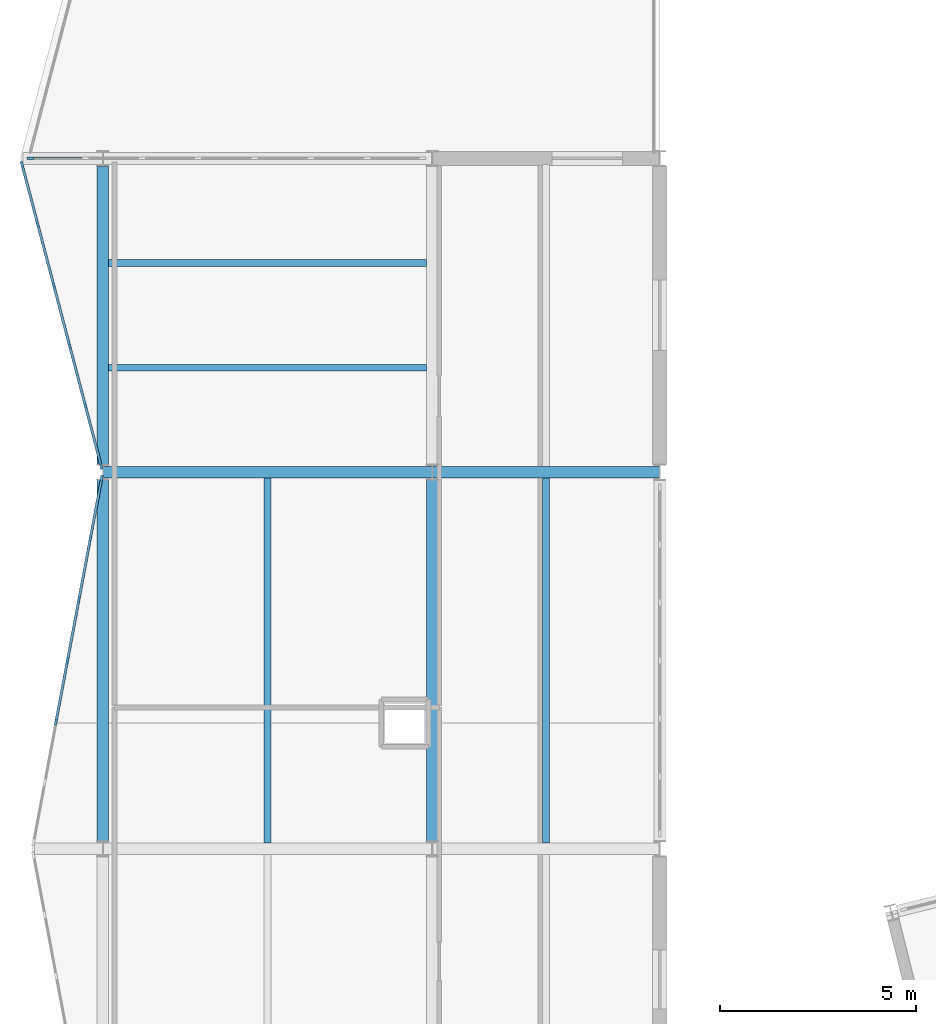
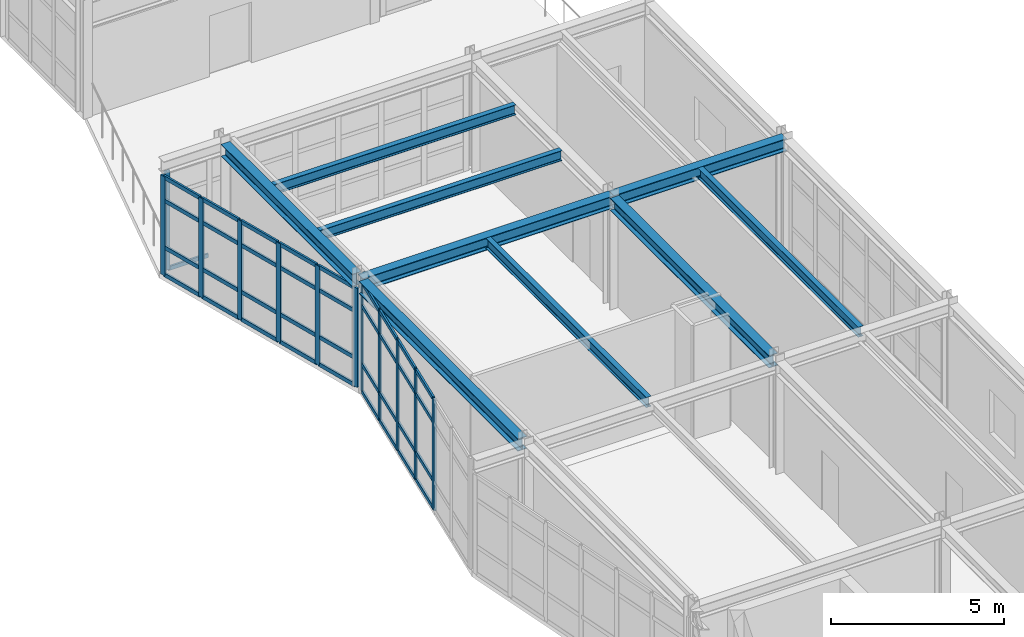
# One storey, part 12 of 47: 49 members, 9 beams, 3 elements without a shape of their own.
"""IFC4 building model written with IfcOpenShell, lengths in metres."""

from ifc_helpers import new_model, si_unit, direction, frame, origin, origin_2d, place, context, subcontext, project, spatial, rectangle, i_section, extrude, material, layer, layer_set, material_profile, profile_set, type_object, element, aggregate, save


model = new_model("IFC4")

# Units and contexts
model_context = context("Model", 3, precision=1e-05, world=origin(), true_north=direction((0.0, 1.0)))
body_context = subcontext(model_context, "Body", "Model", "MODEL_VIEW")
ifc_project = project(units=[si_unit("LENGTHUNIT", "METRE"), si_unit("AREAUNIT", "SQUARE_METRE"), si_unit("VOLUMEUNIT", "CUBIC_METRE"), si_unit("PLANEANGLEUNIT", "RADIAN"), si_unit("MASSUNIT", "GRAM", prefix="KILO")], contexts=[model_context])

# Site, building, storey
site_placement = place(None, origin())
site = spatial("IfcSite", under=ifc_project, at=site_placement, CompositionType="ELEMENT")
building_placement = place(site_placement, origin())
building = spatial("IfcBuilding", under=site, at=building_placement, Name="Nordkorset Police Headquarters", CompositionType="ELEMENT")
storey_placement = place(building_placement, frame((0.0, 0.0, 22.050048828125)))
storey = spatial("IfcBuildingStorey", under=building, at=storey_placement, Name="L05", CompositionType="ELEMENT", Elevation=22.050048828125)

# Beams
ifc_material_1 = material(Name="Steel S355J2", Category="steel")
ifc_material_profile_1 = material_profile(ifc_material_1, i_section(OverallWidth=0.169921875, OverallDepth=0.360107421875, WebThickness=0.008056640625, FlangeThickness=0.0126953125, FilletRadius=0.01806640625, at=origin_2d()), Name="IPE 360")
ifc_profile_set_1 = profile_set([ifc_material_profile_1], Name="Steel S355J2")
beam_type_1 = type_object("IfcBeamType", Name="Beam_IPE_360", PredefinedType="BEAM", material=ifc_profile_set_1)
beam_1_placement = place(storey_placement, frame((4.199951171875, 57.75, 3.784912109375), z_axis=(0.0, 1.0, 0.0), x_axis=(-1.0, 0.0, 0.0)))
element("IfcBeam", 1, at=beam_1_placement, inside=storey, type_object=beam_type_1, Name="Composite Floor Beam V3 L05 0-3-1", PredefinedType="BEAM", context=body_context, shape_type="SweptSolid", body=[
    extrude(i_section(OverallWidth=0.169921875, OverallDepth=0.360107421875, WebThickness=0.008056640625, FlangeThickness=0.0126953125, FilletRadius=0.01806640625, at=origin_2d()), origin(), (0.0, 0.0, 1.0), 9.300048828125),
])
for number, where, z_axis, x_axis, name in (
    (2, (0.14990234375, 69.86669921875, 3.784912109375), (1.0, 0.0, 0.0), (0.0, 1.0, 0.0), "Composite Floor Beam V3 L05 0-4-1"),
    (3, (0.14990234375, 72.533447265625, 3.784912109375), (1.0, 0.0, 0.0), (0.0, 1.0, 0.0), "Composite Floor Beam V3 L05 0-4-2"),
):
    element("IfcBeam", number, at=place(storey_placement, frame(where, z_axis=z_axis, x_axis=x_axis)), inside=storey, type_object=beam_type_1, Name=name, PredefinedType="BEAM", context=body_context, shape_type="SweptSolid", body=[
        extrude(i_section(OverallWidth=0.169921875, OverallDepth=0.360107421875, WebThickness=0.008056640625, FlangeThickness=0.0126953125, FilletRadius=0.01806640625, at=origin_2d()), origin(), (0.0, 0.0, 1.0), 8.10009765625),
    ])
beam_2_placement = place(storey_placement, frame((11.300048828125, 57.75, 3.784912109375), z_axis=(0.0, 1.0, 0.0), x_axis=(-1.0, 0.0, 0.0)))
element("IfcBeam", 4, at=beam_2_placement, inside=storey, type_object=beam_type_1, Name="Composite Floor Beam V3 L05 1-3-1", PredefinedType="BEAM", context=body_context, shape_type="SweptSolid", body=[
    extrude(i_section(OverallWidth=0.169921875, OverallDepth=0.360107421875, WebThickness=0.008056640625, FlangeThickness=0.0126953125, FilletRadius=0.01806640625, at=origin_2d()), origin(), (0.0, 0.0, 1.0), 9.300048828125),
])

# Curtain wall, members
ifc_material_2 = material(Name="Aluminium alloy AW-6060", Category="aluminium")
ifc_layer_1 = layer(ifc_material_2, 0.179931640625, Name="Aluminium alloy AW-6060")
ifc_layer_set_1 = layer_set([ifc_layer_1], Name="Aluminium alloy AW-6060")
curtain_wall_type_1 = type_object("IfcCurtainWallType", Name="CW_Unit_949x392", PredefinedType="USERDEFINED", material=ifc_layer_set_1)
curtain_wall_1_placement = place(storey_placement, origin())
curtain_wall_1 = element("IfcCurtainWall", 5, at=curtain_wall_1_placement, inside=storey, type_object=curtain_wall_type_1, Name="Unitised Curtain Wall L05 V3W-3", ObjectType="UNITISED CURTAIN WALL", PredefinedType="USERDEFINED")
ifc_material_3 = material(Name="Aluminium alloy AW-6060", Category="aluminium")
ifc_material_profile_2 = material_profile(ifc_material_3, rectangle(XDim=0.06494140625, YDim=0.179931640625, at=origin_2d()), Name="ALU MULL 65x180")
ifc_profile_set_2 = profile_set([ifc_material_profile_2], Name="Aluminium alloy AW-6060")
member_type_1 = type_object("IfcMemberType", Name="CW_Mullion_65x180", PredefinedType="MULLION", material=ifc_profile_set_2)
member_1_placement = place(storey_placement, frame((-1.19140625, 60.845947265625, 0.0), z_axis=(0.0, 0.0, 1.0), x_axis=(-0.982872186935, 0.184288535048, 0.0)))
member_1 = element("IfcMember", 6, at=member_1_placement, type_object=member_type_1, Name="CW-49 mullion 3", PredefinedType="MULLION", context=body_context, shape_type="SweptSolid", body=[
    extrude(rectangle(XDim=0.06494140625, YDim=0.179931640625, at=origin_2d()), origin(), (0.0, 0.0, 1.0), 3.919921875),
])
member_2_placement = place(storey_placement, frame((-0.89990234375, 62.39990234375, 0.0), z_axis=(0.0, 0.0, 1.0), x_axis=(-0.982872186935, 0.184288535048, 0.0)))
member_2 = element("IfcMember", 7, at=member_2_placement, type_object=member_type_1, Name="CW-49 mullion 4", PredefinedType="MULLION", context=body_context, shape_type="SweptSolid", body=[
    extrude(rectangle(XDim=0.06494140625, YDim=0.179931640625, at=origin_2d()), origin(), (0.0, 0.0, 1.0), 3.919921875),
])
member_3_placement = place(storey_placement, frame((-0.608642578125, 63.9541015625, 0.0), z_axis=(0.0, 0.0, 1.0), x_axis=(-0.982872186935, 0.184288535048, 0.0)))
member_3 = element("IfcMember", 8, at=member_3_placement, type_object=member_type_1, Name="CW-49 mullion 5", PredefinedType="MULLION", context=body_context, shape_type="SweptSolid", body=[
    extrude(rectangle(XDim=0.06494140625, YDim=0.179931640625, at=origin_2d()), origin(), (0.0, 0.0, 1.0), 3.919921875),
])
member_4_placement = place(storey_placement, frame((-0.317138671875, 65.50830078125, 0.0), z_axis=(0.0, 0.0, 1.0), x_axis=(-0.982872186935, 0.184288535048, 0.0)))
member_4 = element("IfcMember", 9, at=member_4_placement, type_object=member_type_1, Name="CW-49 mullion 6", PredefinedType="MULLION", context=body_context, shape_type="SweptSolid", body=[
    extrude(rectangle(XDim=0.06494140625, YDim=0.179931640625, at=origin_2d()), origin(), (0.0, 0.0, 1.0), 3.919921875),
])
member_5_placement = place(storey_placement, frame((-0.03173828125, 67.030517578125, 0.0), z_axis=(0.0, 0.0, 1.0), x_axis=(-0.982872186935, 0.184288535048, 0.0)))
member_5 = element("IfcMember", 10, at=member_5_placement, type_object=member_type_1, Name="CW-49 mullion 7", PredefinedType="MULLION", context=body_context, shape_type="SweptSolid", body=[
    extrude(rectangle(XDim=0.06494140625, YDim=0.179931640625, at=origin_2d()), origin(), (0.0, 0.0, 1.0), 3.919921875),
])

ifc_material_4 = material(Name="Aluminium alloy AW-6060", Category="aluminium")
ifc_layer_2 = layer(ifc_material_4, 0.179931640625, Name="Aluminium alloy AW-6060")
ifc_layer_set_2 = layer_set([ifc_layer_2], Name="Aluminium alloy AW-6060")
curtain_wall_type_2 = type_object("IfcCurtainWallType", Name="CW_Unit_799x350", PredefinedType="USERDEFINED", material=ifc_layer_set_2)
curtain_wall_2_placement = place(storey_placement, origin())
curtain_wall_2 = element("IfcCurtainWall", 11, at=curtain_wall_2_placement, inside=storey, type_object=curtain_wall_type_2, Name="Unitised Curtain Wall L05 V3W-4", ObjectType="UNITISED CURTAIN WALL", PredefinedType="USERDEFINED")
member_6_placement = place(storey_placement, frame((-0.043701171875, 67.366943359375, 0.0), z_axis=(0.0, 0.0, 1.0), x_axis=(-0.967231265013, -0.25389698695, 0.0)))
member_6 = element("IfcMember", 12, at=member_6_placement, type_object=member_type_1, Name="CW-107 mullion 1", PredefinedType="MULLION", context=body_context, shape_type="SweptSolid", body=[
    extrude(rectangle(XDim=0.06494140625, YDim=0.179931640625, at=origin_2d()), origin(), (0.0, 0.0, 1.0), 3.5048828125),
])
member_7_placement = place(storey_placement, frame((-0.44140625, 68.88134765625, 0.0), z_axis=(0.0, 0.0, 1.0), x_axis=(-0.967231265013, -0.25389698695, 0.0)))
member_7 = element("IfcMember", 13, at=member_7_placement, type_object=member_type_1, Name="CW-107 mullion 2", PredefinedType="MULLION", context=body_context, shape_type="SweptSolid", body=[
    extrude(rectangle(XDim=0.06494140625, YDim=0.179931640625, at=origin_2d()), origin(), (0.0, 0.0, 1.0), 3.5048828125),
])
member_8_placement = place(storey_placement, frame((-0.84716796875, 70.427001953125, 0.0), z_axis=(0.0, 0.0, 1.0), x_axis=(-0.967231265013, -0.25389698695, 0.0)))
member_8 = element("IfcMember", 14, at=member_8_placement, type_object=member_type_1, Name="CW-107 mullion 3", PredefinedType="MULLION", context=body_context, shape_type="SweptSolid", body=[
    extrude(rectangle(XDim=0.06494140625, YDim=0.179931640625, at=origin_2d()), origin(), (0.0, 0.0, 1.0), 3.5048828125),
])
member_9_placement = place(storey_placement, frame((-1.2529296875, 71.972900390625, 0.0), z_axis=(0.0, 0.0, 1.0), x_axis=(-0.967231265013, -0.25389698695, 0.0)))
member_9 = element("IfcMember", 15, at=member_9_placement, type_object=member_type_1, Name="CW-107 mullion 4", PredefinedType="MULLION", context=body_context, shape_type="SweptSolid", body=[
    extrude(rectangle(XDim=0.06494140625, YDim=0.179931640625, at=origin_2d()), origin(), (0.0, 0.0, 1.0), 3.5048828125),
])
member_10_placement = place(storey_placement, frame((-1.65869140625, 73.518798828125, 0.0), z_axis=(0.0, 0.0, 1.0), x_axis=(-0.967231265013, -0.25389698695, 0.0)))
member_10 = element("IfcMember", 16, at=member_10_placement, type_object=member_type_1, Name="CW-107 mullion 5", PredefinedType="MULLION", context=body_context, shape_type="SweptSolid", body=[
    extrude(rectangle(XDim=0.06494140625, YDim=0.179931640625, at=origin_2d()), origin(), (0.0, 0.0, 1.0), 3.5048828125),
])
member_11_placement = place(storey_placement, frame((-2.05615234375, 75.033203125, 0.0), z_axis=(0.0, 0.0, 1.0), x_axis=(-0.967231265013, -0.25389698695, 0.0)))
member_11 = element("IfcMember", 17, at=member_11_placement, type_object=member_type_1, Name="CW-107 mullion 6", PredefinedType="MULLION", context=body_context, shape_type="SweptSolid", body=[
    extrude(rectangle(XDim=0.06494140625, YDim=0.179931640625, at=origin_2d()), origin(), (0.0, 0.0, 1.0), 3.5048828125),
])

# Curtain wall, member
ifc_material_5 = material(Name="Aluminium alloy AW-6060", Category="aluminium")
ifc_layer_3 = layer(ifc_material_5, 0.179931640625, Name="Aluminium alloy AW-6060")
ifc_layer_set_3 = layer_set([ifc_layer_3], Name="Aluminium alloy AW-6060")
curtain_wall_type_3 = type_object("IfcCurtainWallType", Name="CW_Unit_1006x350", PredefinedType="USERDEFINED", material=ifc_layer_set_3)
curtain_wall_3_placement = place(storey_placement, origin())
curtain_wall_3 = element("IfcCurtainWall", 18, at=curtain_wall_3_placement, inside=storey, type_object=curtain_wall_type_3, Name="Unitised Curtain Wall L05 V3N-L05A", ObjectType="UNITISED CURTAIN WALL", PredefinedType="USERDEFINED")
member_12_placement = place(storey_placement, frame((-1.847412109375, 75.199951171875, 0.0), z_axis=(0.0, 0.0, 1.0), x_axis=(0.0, 1.0, 0.0)))
member_12 = element("IfcMember", 19, at=member_12_placement, type_object=member_type_1, Name="CW-46 mullion 1", PredefinedType="MULLION", context=body_context, shape_type="SweptSolid", body=[
    extrude(rectangle(XDim=0.06494140625, YDim=0.179931640625, at=origin_2d()), origin(), (0.0, 0.0, 1.0), 3.5048828125),
])

# Member
ifc_material_6 = material(Name="Aluminium alloy AW-6060", Category="aluminium")
ifc_material_profile_3 = material_profile(ifc_material_6, rectangle(XDim=0.06494140625, YDim=0.139892578125, at=origin_2d()), Name="ALU TRAN 65x140")
ifc_profile_set_3 = profile_set([ifc_material_profile_3], Name="Aluminium alloy AW-6060")
member_type_2 = type_object("IfcMemberType", Name="CW_Transom_65x140", PredefinedType="USERDEFINED", material=ifc_profile_set_3)
member_13_placement = place(storey_placement, frame((-1.185302734375, 60.8779296875, 0.032470703125), z_axis=(0.184210757138, 0.982886767107, 0.0), x_axis=(-0.982886767107, 0.184210757138, 0.0)))
member_13 = element("IfcMember", 20, at=member_13_placement, type_object=member_type_2, Name="CW-49 transom 3.1", ObjectType="TRANSOM", PredefinedType="USERDEFINED", context=body_context, shape_type="SweptSolid", body=[
    extrude(rectangle(XDim=0.06494140625, YDim=0.139892578125, at=origin_2d()), origin(), (0.0, 0.0, 1.0), 1.51611328125),
])

member_14_placement = place(storey_placement, frame((-1.185302734375, 60.8779296875, 1.0), z_axis=(0.184210757138, 0.982886767107, 0.0), x_axis=(-0.982886767107, 0.184210757138, 0.0)))
member_14 = element("IfcMember", 21, at=member_14_placement, type_object=member_type_2, Name="CW-49 transom 3.2", ObjectType="TRANSOM", PredefinedType="USERDEFINED", context=body_context, shape_type="SweptSolid", body=[
    extrude(rectangle(XDim=0.06494140625, YDim=0.139892578125, at=origin_2d()), origin(), (0.0, 0.0, 1.0), 1.51611328125),
])

member_15_placement = place(storey_placement, frame((-1.185302734375, 60.8779296875, 3.070068359375), z_axis=(0.184210757138, 0.982886767107, 0.0), x_axis=(-0.982886767107, 0.184210757138, 0.0)))
member_15 = element("IfcMember", 22, at=member_15_placement, type_object=member_type_2, Name="CW-49 transom 3.3", ObjectType="TRANSOM", PredefinedType="USERDEFINED", context=body_context, shape_type="SweptSolid", body=[
    extrude(rectangle(XDim=0.06494140625, YDim=0.139892578125, at=origin_2d()), origin(), (0.0, 0.0, 1.0), 1.51611328125),
])

member_16_placement = place(storey_placement, frame((-1.185302734375, 60.8779296875, 3.887451171875), z_axis=(0.184210757138, 0.982886767107, 0.0), x_axis=(-0.982886767107, 0.184210757138, 0.0)))
member_16 = element("IfcMember", 23, at=member_16_placement, type_object=member_type_2, Name="CW-49 transom 3.4", ObjectType="TRANSOM", PredefinedType="USERDEFINED", context=body_context, shape_type="SweptSolid", body=[
    extrude(rectangle(XDim=0.06494140625, YDim=0.139892578125, at=origin_2d()), origin(), (0.0, 0.0, 1.0), 1.51611328125),
])

member_17_placement = place(storey_placement, frame((-0.89404296875, 62.431884765625, 0.032470703125), z_axis=(0.1843663095, 0.98285760104, 0.0), x_axis=(-0.98285760104, 0.1843663095, 0.0)))
member_17 = element("IfcMember", 24, at=member_17_placement, type_object=member_type_2, Name="CW-49 transom 4.1", ObjectType="TRANSOM", PredefinedType="USERDEFINED", context=body_context, shape_type="SweptSolid", body=[
    extrude(rectangle(XDim=0.06494140625, YDim=0.139892578125, at=origin_2d()), origin(), (0.0, 0.0, 1.0), 1.51611328125),
])

member_18_placement = place(storey_placement, frame((-0.89404296875, 62.431884765625, 1.0), z_axis=(0.1843663095, 0.98285760104, 0.0), x_axis=(-0.98285760104, 0.1843663095, 0.0)))
member_18 = element("IfcMember", 25, at=member_18_placement, type_object=member_type_2, Name="CW-49 transom 4.2", ObjectType="TRANSOM", PredefinedType="USERDEFINED", context=body_context, shape_type="SweptSolid", body=[
    extrude(rectangle(XDim=0.06494140625, YDim=0.139892578125, at=origin_2d()), origin(), (0.0, 0.0, 1.0), 1.51611328125),
])

member_19_placement = place(storey_placement, frame((-0.89404296875, 62.431884765625, 3.070068359375), z_axis=(0.1843663095, 0.98285760104, 0.0), x_axis=(-0.98285760104, 0.1843663095, 0.0)))
member_19 = element("IfcMember", 26, at=member_19_placement, type_object=member_type_2, Name="CW-49 transom 4.3", ObjectType="TRANSOM", PredefinedType="USERDEFINED", context=body_context, shape_type="SweptSolid", body=[
    extrude(rectangle(XDim=0.06494140625, YDim=0.139892578125, at=origin_2d()), origin(), (0.0, 0.0, 1.0), 1.51611328125),
])

member_20_placement = place(storey_placement, frame((-0.89404296875, 62.431884765625, 3.887451171875), z_axis=(0.1843663095, 0.98285760104, 0.0), x_axis=(-0.98285760104, 0.1843663095, 0.0)))
member_20 = element("IfcMember", 27, at=member_20_placement, type_object=member_type_2, Name="CW-49 transom 4.4", ObjectType="TRANSOM", PredefinedType="USERDEFINED", context=body_context, shape_type="SweptSolid", body=[
    extrude(rectangle(XDim=0.06494140625, YDim=0.139892578125, at=origin_2d()), origin(), (0.0, 0.0, 1.0), 1.51611328125),
])

member_21_placement = place(storey_placement, frame((-0.6025390625, 63.986083984375, 0.032470703125), z_axis=(0.184210757138, 0.982886767107, 0.0), x_axis=(-0.982886767107, 0.184210757138, 0.0)))
member_21 = element("IfcMember", 28, at=member_21_placement, type_object=member_type_2, Name="CW-49 transom 5.1", ObjectType="TRANSOM", PredefinedType="USERDEFINED", context=body_context, shape_type="SweptSolid", body=[
    extrude(rectangle(XDim=0.06494140625, YDim=0.139892578125, at=origin_2d()), origin(), (0.0, 0.0, 1.0), 1.51611328125),
])

member_22_placement = place(storey_placement, frame((-0.6025390625, 63.986083984375, 1.0), z_axis=(0.184210757138, 0.982886767107, 0.0), x_axis=(-0.982886767107, 0.184210757138, 0.0)))
member_22 = element("IfcMember", 29, at=member_22_placement, type_object=member_type_2, Name="CW-49 transom 5.2", ObjectType="TRANSOM", PredefinedType="USERDEFINED", context=body_context, shape_type="SweptSolid", body=[
    extrude(rectangle(XDim=0.06494140625, YDim=0.139892578125, at=origin_2d()), origin(), (0.0, 0.0, 1.0), 1.51611328125),
])

member_23_placement = place(storey_placement, frame((-0.6025390625, 63.986083984375, 3.070068359375), z_axis=(0.184210757138, 0.982886767107, 0.0), x_axis=(-0.982886767107, 0.184210757138, 0.0)))
member_23 = element("IfcMember", 30, at=member_23_placement, type_object=member_type_2, Name="CW-49 transom 5.3", ObjectType="TRANSOM", PredefinedType="USERDEFINED", context=body_context, shape_type="SweptSolid", body=[
    extrude(rectangle(XDim=0.06494140625, YDim=0.139892578125, at=origin_2d()), origin(), (0.0, 0.0, 1.0), 1.51611328125),
])

member_24_placement = place(storey_placement, frame((-0.6025390625, 63.986083984375, 3.887451171875), z_axis=(0.184210757138, 0.982886767107, 0.0), x_axis=(-0.982886767107, 0.184210757138, 0.0)))
member_24 = element("IfcMember", 31, at=member_24_placement, type_object=member_type_2, Name="CW-49 transom 5.4", ObjectType="TRANSOM", PredefinedType="USERDEFINED", context=body_context, shape_type="SweptSolid", body=[
    extrude(rectangle(XDim=0.06494140625, YDim=0.139892578125, at=origin_2d()), origin(), (0.0, 0.0, 1.0), 1.51611328125),
])

member_25_placement = place(storey_placement, frame((-0.311279296875, 65.540283203125, 0.032470703125), z_axis=(0.184298470268, 0.982870324029, 0.0), x_axis=(-0.982870324029, 0.184298470268, 0.0)))
member_25 = element("IfcMember", 32, at=member_25_placement, type_object=member_type_2, Name="CW-49 transom 6.1", ObjectType="TRANSOM", PredefinedType="USERDEFINED", context=body_context, shape_type="SweptSolid", body=[
    extrude(rectangle(XDim=0.06494140625, YDim=0.139892578125, at=origin_2d()), origin(), (0.0, 0.0, 1.0), 1.483642578125),
])

member_26_placement = place(storey_placement, frame((-0.311279296875, 65.540283203125, 1.0), z_axis=(0.184298470268, 0.982870324029, 0.0), x_axis=(-0.982870324029, 0.184298470268, 0.0)))
member_26 = element("IfcMember", 33, at=member_26_placement, type_object=member_type_2, Name="CW-49 transom 6.2", ObjectType="TRANSOM", PredefinedType="USERDEFINED", context=body_context, shape_type="SweptSolid", body=[
    extrude(rectangle(XDim=0.06494140625, YDim=0.139892578125, at=origin_2d()), origin(), (0.0, 0.0, 1.0), 1.483642578125),
])

member_27_placement = place(storey_placement, frame((-0.311279296875, 65.540283203125, 3.070068359375), z_axis=(0.184298470268, 0.982870324029, 0.0), x_axis=(-0.982870324029, 0.184298470268, 0.0)))
member_27 = element("IfcMember", 34, at=member_27_placement, type_object=member_type_2, Name="CW-49 transom 6.3", ObjectType="TRANSOM", PredefinedType="USERDEFINED", context=body_context, shape_type="SweptSolid", body=[
    extrude(rectangle(XDim=0.06494140625, YDim=0.139892578125, at=origin_2d()), origin(), (0.0, 0.0, 1.0), 1.483642578125),
])

member_28_placement = place(storey_placement, frame((-0.311279296875, 65.540283203125, 3.887451171875), z_axis=(0.184298470268, 0.982870324029, 0.0), x_axis=(-0.982870324029, 0.184298470268, 0.0)))
member_28 = element("IfcMember", 35, at=member_28_placement, type_object=member_type_2, Name="CW-49 transom 6.4", ObjectType="TRANSOM", PredefinedType="USERDEFINED", context=body_context, shape_type="SweptSolid", body=[
    extrude(rectangle(XDim=0.06494140625, YDim=0.139892578125, at=origin_2d()), origin(), (0.0, 0.0, 1.0), 1.483642578125),
])

aggregate(curtain_wall_1, [member_1, member_2, member_3, member_4, member_5, member_13, member_14, member_15, member_16, member_17, member_18, member_19, member_20, member_21, member_22, member_23, member_24, member_25, member_26, member_27, member_28])

member_29_placement = place(storey_placement, frame((-0.052001953125, 67.398193359375, 0.032470703125), z_axis=(-0.253924760119, 0.967223974164, 0.0), x_axis=(-0.967223974164, -0.253924760119, 0.0)))
member_29 = element("IfcMember", 36, at=member_29_placement, type_object=member_type_2, Name="CW-107 transom 1.1", ObjectType="TRANSOM", PredefinedType="USERDEFINED", context=body_context, shape_type="SweptSolid", body=[
    extrude(rectangle(XDim=0.06494140625, YDim=0.139892578125, at=origin_2d()), origin(), (0.0, 0.0, 1.0), 1.500732421875),
])

member_30_placement = place(storey_placement, frame((-0.052001953125, 67.398193359375, 1.0), z_axis=(-0.253924760119, 0.967223974164, 0.0), x_axis=(-0.967223974164, -0.253924760119, 0.0)))
member_30 = element("IfcMember", 37, at=member_30_placement, type_object=member_type_2, Name="CW-107 transom 1.2", ObjectType="TRANSOM", PredefinedType="USERDEFINED", context=body_context, shape_type="SweptSolid", body=[
    extrude(rectangle(XDim=0.06494140625, YDim=0.139892578125, at=origin_2d()), origin(), (0.0, 0.0, 1.0), 1.500732421875),
])

member_31_placement = place(storey_placement, frame((-0.052001953125, 67.398193359375, 2.655029296875), z_axis=(-0.253924760119, 0.967223974164, 0.0), x_axis=(-0.967223974164, -0.253924760119, 0.0)))
member_31 = element("IfcMember", 38, at=member_31_placement, type_object=member_type_2, Name="CW-107 transom 1.3", ObjectType="TRANSOM", PredefinedType="USERDEFINED", context=body_context, shape_type="SweptSolid", body=[
    extrude(rectangle(XDim=0.06494140625, YDim=0.139892578125, at=origin_2d()), origin(), (0.0, 0.0, 1.0), 1.500732421875),
])

member_32_placement = place(storey_placement, frame((-0.052001953125, 67.398193359375, 3.472412109375), z_axis=(-0.253924760119, 0.967223974164, 0.0), x_axis=(-0.967223974164, -0.253924760119, 0.0)))
member_32 = element("IfcMember", 39, at=member_32_placement, type_object=member_type_2, Name="CW-107 transom 1.4", ObjectType="TRANSOM", PredefinedType="USERDEFINED", context=body_context, shape_type="SweptSolid", body=[
    extrude(rectangle(XDim=0.06494140625, YDim=0.139892578125, at=origin_2d()), origin(), (0.0, 0.0, 1.0), 1.500732421875),
])

member_33_placement = place(storey_placement, frame((-0.449462890625, 68.91259765625, 0.032470703125), z_axis=(-0.253944674811, 0.967218745753, 0.0), x_axis=(-0.967218745753, -0.253944674811, 0.0)))
member_33 = element("IfcMember", 40, at=member_33_placement, type_object=member_type_2, Name="CW-107 transom 2.1", ObjectType="TRANSOM", PredefinedType="USERDEFINED", context=body_context, shape_type="SweptSolid", body=[
    extrude(rectangle(XDim=0.06494140625, YDim=0.139892578125, at=origin_2d()), origin(), (0.0, 0.0, 1.0), 1.533447265625),
])

member_34_placement = place(storey_placement, frame((-0.449462890625, 68.91259765625, 1.0), z_axis=(-0.253944674811, 0.967218745753, 0.0), x_axis=(-0.967218745753, -0.253944674811, 0.0)))
member_34 = element("IfcMember", 41, at=member_34_placement, type_object=member_type_2, Name="CW-107 transom 2.2", ObjectType="TRANSOM", PredefinedType="USERDEFINED", context=body_context, shape_type="SweptSolid", body=[
    extrude(rectangle(XDim=0.06494140625, YDim=0.139892578125, at=origin_2d()), origin(), (0.0, 0.0, 1.0), 1.533447265625),
])

member_35_placement = place(storey_placement, frame((-0.449462890625, 68.91259765625, 2.655029296875), z_axis=(-0.253944674811, 0.967218745753, 0.0), x_axis=(-0.967218745753, -0.253944674811, 0.0)))
member_35 = element("IfcMember", 42, at=member_35_placement, type_object=member_type_2, Name="CW-107 transom 2.3", ObjectType="TRANSOM", PredefinedType="USERDEFINED", context=body_context, shape_type="SweptSolid", body=[
    extrude(rectangle(XDim=0.06494140625, YDim=0.139892578125, at=origin_2d()), origin(), (0.0, 0.0, 1.0), 1.533447265625),
])

member_36_placement = place(storey_placement, frame((-0.449462890625, 68.91259765625, 3.472412109375), z_axis=(-0.253944674811, 0.967218745753, 0.0), x_axis=(-0.967218745753, -0.253944674811, 0.0)))
member_36 = element("IfcMember", 43, at=member_36_placement, type_object=member_type_2, Name="CW-107 transom 2.4", ObjectType="TRANSOM", PredefinedType="USERDEFINED", context=body_context, shape_type="SweptSolid", body=[
    extrude(rectangle(XDim=0.06494140625, YDim=0.139892578125, at=origin_2d()), origin(), (0.0, 0.0, 1.0), 1.533447265625),
])

member_37_placement = place(storey_placement, frame((-0.85546875, 70.45849609375, 0.032470703125), z_axis=(-0.253834812056, 0.967247583708, 0.0), x_axis=(-0.967247583708, -0.253834812056, 0.0)))
member_37 = element("IfcMember", 44, at=member_37_placement, type_object=member_type_2, Name="CW-107 transom 3.1", ObjectType="TRANSOM", PredefinedType="USERDEFINED", context=body_context, shape_type="SweptSolid", body=[
    extrude(rectangle(XDim=0.06494140625, YDim=0.139892578125, at=origin_2d()), origin(), (0.0, 0.0, 1.0), 1.533203125),
])

member_38_placement = place(storey_placement, frame((-0.85546875, 70.45849609375, 1.0), z_axis=(-0.253834812056, 0.967247583708, 0.0), x_axis=(-0.967247583708, -0.253834812056, 0.0)))
member_38 = element("IfcMember", 45, at=member_38_placement, type_object=member_type_2, Name="CW-107 transom 3.2", ObjectType="TRANSOM", PredefinedType="USERDEFINED", context=body_context, shape_type="SweptSolid", body=[
    extrude(rectangle(XDim=0.06494140625, YDim=0.139892578125, at=origin_2d()), origin(), (0.0, 0.0, 1.0), 1.533203125),
])

member_39_placement = place(storey_placement, frame((-0.85546875, 70.45849609375, 2.655029296875), z_axis=(-0.253834812056, 0.967247583708, 0.0), x_axis=(-0.967247583708, -0.253834812056, 0.0)))
member_39 = element("IfcMember", 46, at=member_39_placement, type_object=member_type_2, Name="CW-107 transom 3.3", ObjectType="TRANSOM", PredefinedType="USERDEFINED", context=body_context, shape_type="SweptSolid", body=[
    extrude(rectangle(XDim=0.06494140625, YDim=0.139892578125, at=origin_2d()), origin(), (0.0, 0.0, 1.0), 1.533203125),
])

member_40_placement = place(storey_placement, frame((-0.85546875, 70.45849609375, 3.472412109375), z_axis=(-0.253834812056, 0.967247583708, 0.0), x_axis=(-0.967247583708, -0.253834812056, 0.0)))
member_40 = element("IfcMember", 47, at=member_40_placement, type_object=member_type_2, Name="CW-107 transom 3.4", ObjectType="TRANSOM", PredefinedType="USERDEFINED", context=body_context, shape_type="SweptSolid", body=[
    extrude(rectangle(XDim=0.06494140625, YDim=0.139892578125, at=origin_2d()), origin(), (0.0, 0.0, 1.0), 1.533203125),
])

member_41_placement = place(storey_placement, frame((-1.26123046875, 72.00439453125, 0.032470703125), z_axis=(-0.253834812056, 0.967247583708, 0.0), x_axis=(-0.967247583708, -0.253834812056, 0.0)))
member_41 = element("IfcMember", 48, at=member_41_placement, type_object=member_type_2, Name="CW-107 transom 4.1", ObjectType="TRANSOM", PredefinedType="USERDEFINED", context=body_context, shape_type="SweptSolid", body=[
    extrude(rectangle(XDim=0.06494140625, YDim=0.139892578125, at=origin_2d()), origin(), (0.0, 0.0, 1.0), 1.533203125),
])

member_42_placement = place(storey_placement, frame((-1.26123046875, 72.00439453125, 1.0), z_axis=(-0.253834812056, 0.967247583708, 0.0), x_axis=(-0.967247583708, -0.253834812056, 0.0)))
member_42 = element("IfcMember", 49, at=member_42_placement, type_object=member_type_2, Name="CW-107 transom 4.2", ObjectType="TRANSOM", PredefinedType="USERDEFINED", context=body_context, shape_type="SweptSolid", body=[
    extrude(rectangle(XDim=0.06494140625, YDim=0.139892578125, at=origin_2d()), origin(), (0.0, 0.0, 1.0), 1.533203125),
])

member_43_placement = place(storey_placement, frame((-1.26123046875, 72.00439453125, 2.655029296875), z_axis=(-0.253834812056, 0.967247583708, 0.0), x_axis=(-0.967247583708, -0.253834812056, 0.0)))
member_43 = element("IfcMember", 50, at=member_43_placement, type_object=member_type_2, Name="CW-107 transom 4.3", ObjectType="TRANSOM", PredefinedType="USERDEFINED", context=body_context, shape_type="SweptSolid", body=[
    extrude(rectangle(XDim=0.06494140625, YDim=0.139892578125, at=origin_2d()), origin(), (0.0, 0.0, 1.0), 1.533203125),
])

member_44_placement = place(storey_placement, frame((-1.26123046875, 72.00439453125, 3.472412109375), z_axis=(-0.253834812056, 0.967247583708, 0.0), x_axis=(-0.967247583708, -0.253834812056, 0.0)))
member_44 = element("IfcMember", 51, at=member_44_placement, type_object=member_type_2, Name="CW-107 transom 4.4", ObjectType="TRANSOM", PredefinedType="USERDEFINED", context=body_context, shape_type="SweptSolid", body=[
    extrude(rectangle(XDim=0.06494140625, YDim=0.139892578125, at=origin_2d()), origin(), (0.0, 0.0, 1.0), 1.533203125),
])

member_45_placement = place(storey_placement, frame((-1.6669921875, 73.55029296875, 0.032470703125), z_axis=(-0.253812508184, 0.967253436639, 0.0), x_axis=(-0.967253436639, -0.253812508184, 0.0)))
member_45 = element("IfcMember", 52, at=member_45_placement, type_object=member_type_2, Name="CW-107 transom 5.1", ObjectType="TRANSOM", PredefinedType="USERDEFINED", context=body_context, shape_type="SweptSolid", body=[
    extrude(rectangle(XDim=0.06494140625, YDim=0.139892578125, at=origin_2d()), origin(), (0.0, 0.0, 1.0), 1.50048828125),
])

member_46_placement = place(storey_placement, frame((-1.6669921875, 73.55029296875, 1.0), z_axis=(-0.253812508184, 0.967253436639, 0.0), x_axis=(-0.967253436639, -0.253812508184, 0.0)))
member_46 = element("IfcMember", 53, at=member_46_placement, type_object=member_type_2, Name="CW-107 transom 5.2", ObjectType="TRANSOM", PredefinedType="USERDEFINED", context=body_context, shape_type="SweptSolid", body=[
    extrude(rectangle(XDim=0.06494140625, YDim=0.139892578125, at=origin_2d()), origin(), (0.0, 0.0, 1.0), 1.50048828125),
])

member_47_placement = place(storey_placement, frame((-1.6669921875, 73.55029296875, 2.655029296875), z_axis=(-0.253812508184, 0.967253436639, 0.0), x_axis=(-0.967253436639, -0.253812508184, 0.0)))
member_47 = element("IfcMember", 54, at=member_47_placement, type_object=member_type_2, Name="CW-107 transom 5.3", ObjectType="TRANSOM", PredefinedType="USERDEFINED", context=body_context, shape_type="SweptSolid", body=[
    extrude(rectangle(XDim=0.06494140625, YDim=0.139892578125, at=origin_2d()), origin(), (0.0, 0.0, 1.0), 1.50048828125),
])

member_48_placement = place(storey_placement, frame((-1.6669921875, 73.55029296875, 3.472412109375), z_axis=(-0.253812508184, 0.967253436639, 0.0), x_axis=(-0.967253436639, -0.253812508184, 0.0)))
member_48 = element("IfcMember", 55, at=member_48_placement, type_object=member_type_2, Name="CW-107 transom 5.4", ObjectType="TRANSOM", PredefinedType="USERDEFINED", context=body_context, shape_type="SweptSolid", body=[
    extrude(rectangle(XDim=0.06494140625, YDim=0.139892578125, at=origin_2d()), origin(), (0.0, 0.0, 1.0), 1.50048828125),
])

aggregate(curtain_wall_2, [member_6, member_7, member_8, member_9, member_10, member_11, member_29, member_30, member_31, member_32, member_33, member_34, member_35, member_36, member_37, member_38, member_39, member_40, member_41, member_42, member_43, member_44, member_45, member_46, member_47, member_48])

member_49_placement = place(storey_placement, frame((-1.81494140625, 75.199951171875, 0.032470703125), z_axis=(1.0, 0.0, 0.0), x_axis=(0.0, 1.0, 0.0)))
member_49 = element("IfcMember", 56, at=member_49_placement, type_object=member_type_2, Name="CW-46 transom 1.1", ObjectType="TRANSOM", PredefinedType="USERDEFINED", context=body_context, shape_type="SweptSolid", body=[
    extrude(rectangle(XDim=0.06494140625, YDim=0.139892578125, at=origin_2d()), origin(), (0.0, 0.0, 1.0), 1.339599609375),
])

aggregate(curtain_wall_3, [member_12, member_49])

# Beams
ifc_material_7 = material(Name="Steel S355J2", Category="steel")
ifc_material_profile_4 = material_profile(ifc_material_7, i_section(OverallWidth=0.300048828125, OverallDepth=0.43994140625, WebThickness=0.011474609375, FlangeThickness=0.02099609375, FilletRadius=0.027099609375, at=origin_2d()), Name="HEA 450")
ifc_profile_set_4 = profile_set([ifc_material_profile_4], Name="Steel S355J2")
beam_type_2 = type_object("IfcBeamType", Name="Girder_HEA_450", PredefinedType="USERDEFINED", material=ifc_profile_set_4)
beam_3_placement = place(storey_placement, frame((0.006591796875, 67.199951171875, 3.744873046875), z_axis=(1.0, 0.0, 0.0), x_axis=(0.0, 1.0, 0.0)))
element("IfcBeam", 57, at=beam_3_placement, inside=storey, type_object=beam_type_2, Name="Girder V3 L05 GX-4-0", ObjectType="GIRDER", PredefinedType="USERDEFINED", context=body_context, shape_type="SweptSolid", body=[
    extrude(i_section(OverallWidth=0.300048828125, OverallDepth=0.43994140625, WebThickness=0.011474609375, FlangeThickness=0.02099609375, FilletRadius=0.027099609375, at=origin_2d()), origin(), (0.0, 0.0, 1.0), 8.38671875),
])
beam_4_placement = place(storey_placement, frame((8.40673828125, 67.199951171875, 3.744873046875), z_axis=(1.0, 0.0, 0.0), x_axis=(0.0, 1.0, 0.0)))
element("IfcBeam", 58, at=beam_4_placement, inside=storey, type_object=beam_type_2, Name="Girder V3 L05 GX-4-1", ObjectType="GIRDER", PredefinedType="USERDEFINED", context=body_context, shape_type="SweptSolid", body=[
    extrude(i_section(OverallWidth=0.300048828125, OverallDepth=0.43994140625, WebThickness=0.011474609375, FlangeThickness=0.02099609375, FilletRadius=0.027099609375, at=origin_2d()), origin(), (0.0, 0.0, 1.0), 5.78662109375),
])
beam_5_placement = place(storey_placement, frame((0.0, 57.800048828125, 3.744873046875), z_axis=(0.0, 1.0, 0.0), x_axis=(-1.0, 0.0, 0.0)))
element("IfcBeam", 59, at=beam_5_placement, inside=storey, type_object=beam_type_2, Name="Girder V3 L05 GY-0-3", ObjectType="GIRDER", PredefinedType="USERDEFINED", context=body_context, shape_type="SweptSolid", body=[
    extrude(i_section(OverallWidth=0.300048828125, OverallDepth=0.43994140625, WebThickness=0.011474609375, FlangeThickness=0.02099609375, FilletRadius=0.027099609375, at=origin_2d()), origin(), (0.0, 0.0, 1.0), 9.199951171875),
])
beam_6_placement = place(storey_placement, frame((0.0, 67.39990234375, 3.744873046875), z_axis=(0.0, 1.0, 0.0), x_axis=(-1.0, 0.0, 0.0)))
element("IfcBeam", 60, at=beam_6_placement, inside=storey, type_object=beam_type_2, Name="Girder V3 L05 GY-0-4", ObjectType="GIRDER", PredefinedType="USERDEFINED", context=body_context, shape_type="SweptSolid", body=[
    extrude(i_section(OverallWidth=0.300048828125, OverallDepth=0.43994140625, WebThickness=0.011474609375, FlangeThickness=0.02099609375, FilletRadius=0.027099609375, at=origin_2d()), origin(), (0.0, 0.0, 1.0), 7.60009765625),
])
beam_7_placement = place(storey_placement, frame((8.39990234375, 57.800048828125, 3.744873046875), z_axis=(0.0, 1.0, 0.0), x_axis=(-1.0, 0.0, 0.0)))
element("IfcBeam", 61, at=beam_7_placement, inside=storey, type_object=beam_type_2, Name="Girder V3 L05 GY-1-3", ObjectType="GIRDER", PredefinedType="USERDEFINED", context=body_context, shape_type="SweptSolid", body=[
    extrude(i_section(OverallWidth=0.300048828125, OverallDepth=0.43994140625, WebThickness=0.011474609375, FlangeThickness=0.02099609375, FilletRadius=0.027099609375, at=origin_2d()), origin(), (0.0, 0.0, 1.0), 9.199951171875),
])

save(model, "model.ifc")
